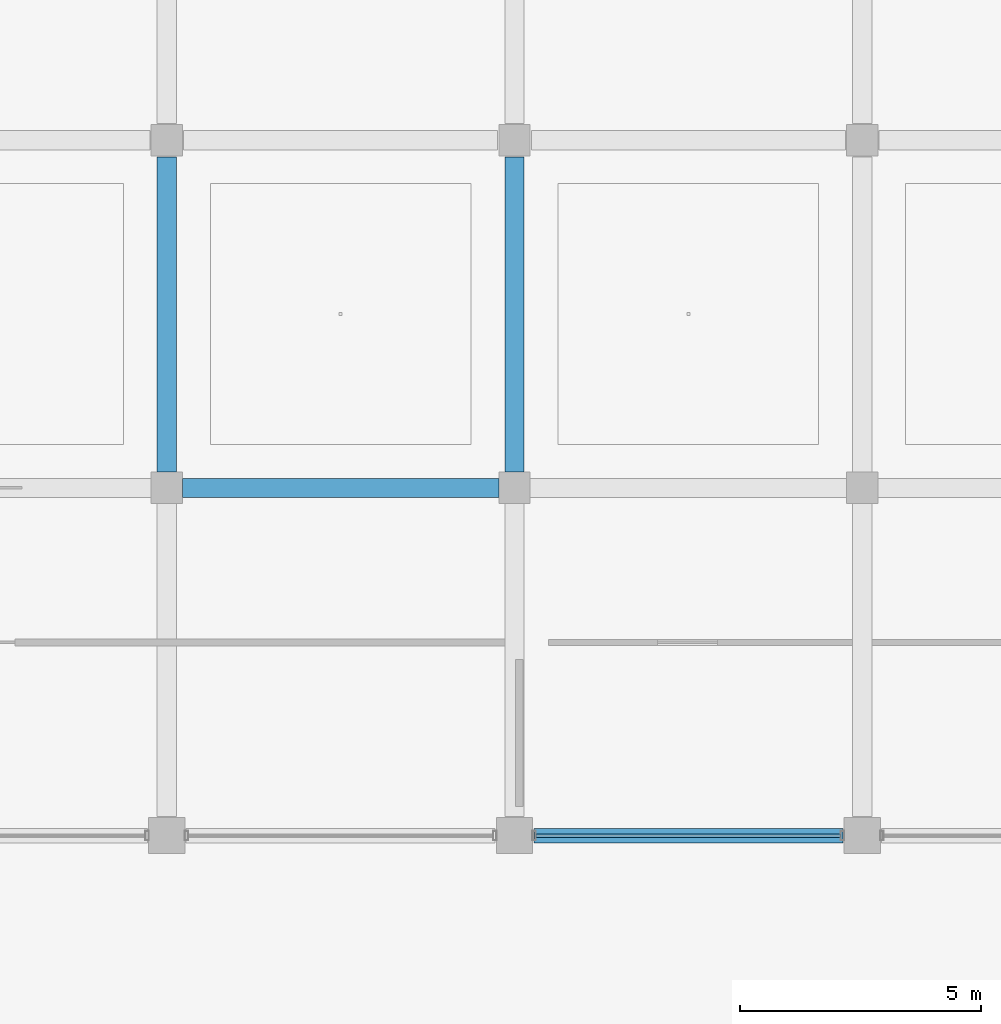
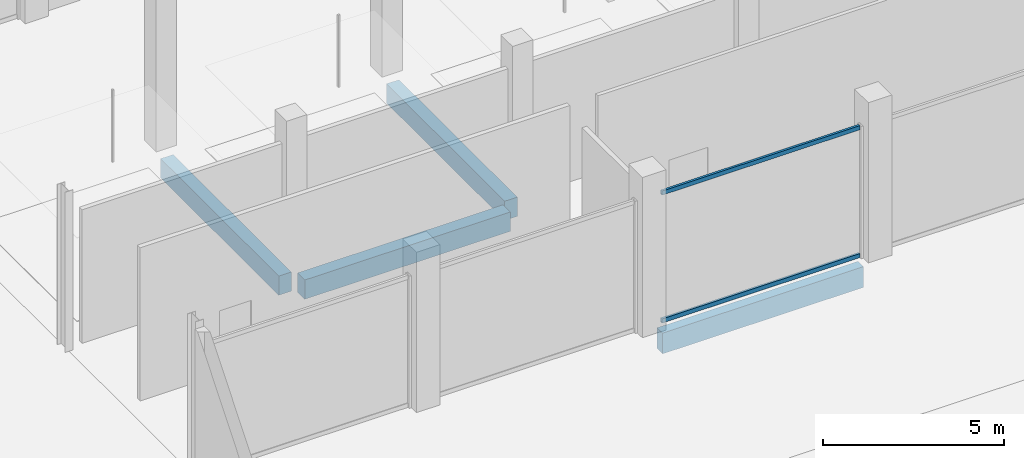
# One storey, part 31 of 90: 4 beams, 2 members, 1 element without a shape of its own.
"""IFC4 building model written with IfcOpenShell, lengths in metres."""

from ifc_helpers import new_model, si_unit, direction, frame, origin, origin_2d, place, context, subcontext, project, spatial, rectangle, hollow_rectangle, extrude, material, layer, layer_set, material_profile, profile_set, type_object, element, aggregate, save


model = new_model("IFC4")

# Units and contexts
model_context = context("Model", 3, precision=1e-05, world=origin(), true_north=direction((0.0, 1.0)))
body_context = subcontext(model_context, "Body", "Model", "MODEL_VIEW")
ifc_project = project(units=[si_unit("LENGTHUNIT", "METRE"), si_unit("AREAUNIT", "SQUARE_METRE"), si_unit("VOLUMEUNIT", "CUBIC_METRE"), si_unit("PLANEANGLEUNIT", "RADIAN"), si_unit("MASSUNIT", "GRAM", prefix="KILO")], contexts=[model_context])

# Site, building, storey
site_placement = place(None, origin())
site = spatial("IfcSite", under=ifc_project, at=site_placement, CompositionType="ELEMENT")
building_placement = place(site_placement, origin())
building = spatial("IfcBuilding", under=site, at=building_placement, Name="Kangsadwip Square Police Headquarters", CompositionType="ELEMENT")
storey_placement = place(building_placement, origin())
storey = spatial("IfcBuildingStorey", under=building, at=storey_placement, Name="L00", CompositionType="ELEMENT", Elevation=0.0)

# Curtain wall, members
ifc_material_1 = material(Name="Thermally broken anodised aluminium AW-6063-T6", Category="aluminium")
ifc_layer = layer(ifc_material_1, 0.159912109375)
ifc_layer_set = layer_set([ifc_layer], Name="Thermally broken anodised aluminium AW-6063-T6")
curtain_wall_type = type_object("IfcCurtainWallType", Name="CourtScreen6460x4450", PredefinedType="USERDEFINED", material=ifc_layer_set)
curtain_wall_placement = place(storey_placement, origin())
curtain_wall = element("IfcCurtainWall", 1, at=curtain_wall_placement, inside=storey, type_object=curtain_wall_type, Name="Curtain Wall CW-L00-1084-0936", ObjectType="GLAZED_SCREEN", PredefinedType="USERDEFINED")
ifc_material_2 = material(Name="Thermally broken anodised aluminium AW-6063-T6", Category="aluminium")
ifc_material_profile_1 = material_profile(ifc_material_2, hollow_rectangle(XDim=0.074951171875, YDim=0.139892578125, WallThickness=0.0048828125, at=origin_2d()), Name="CWT 140X75X5")
ifc_profile_set_1 = profile_set([ifc_material_profile_1], Name="Thermally broken anodised aluminium AW-6063-T6")
member_type = type_object("IfcMemberType", Name="CwTransom160x65", PredefinedType="USERDEFINED", material=ifc_profile_set_1)
member_1_placement = place(storey_placement, frame((108.445068359375, 93.60009765625, 0.070068359375), z_axis=(1.0, 0.0, 0.0), x_axis=(0.0, 1.0, 0.0)))
member_1 = element("IfcMember", 2, at=member_1_placement, type_object=member_type, Name="CW-04 transom 1.1", ObjectType="TRANSOM", PredefinedType="USERDEFINED", context=body_context, shape_type="SweptSolid", body=[
    extrude(hollow_rectangle(XDim=0.074951171875, YDim=0.139892578125, WallThickness=0.0048828125, at=origin_2d()), origin(), (0.0, 0.0, 1.0), 6.309814453125),
])
member_2_placement = place(storey_placement, frame((108.445068359375, 93.60009765625, 4.3798828125), z_axis=(1.0, 0.0, 0.0), x_axis=(0.0, 1.0, 0.0)))
member_2 = element("IfcMember", 3, at=member_2_placement, type_object=member_type, Name="CW-04 transom 1.2", ObjectType="TRANSOM", PredefinedType="USERDEFINED", context=body_context, shape_type="SweptSolid", body=[
    extrude(hollow_rectangle(XDim=0.074951171875, YDim=0.139892578125, WallThickness=0.0048828125, at=origin_2d()), origin(), (0.0, 0.0, 1.0), 6.309814453125),
])
aggregate(curtain_wall, [member_1, member_2])

# Beams
ifc_material_3 = material(Name="Concrete M35 (35 MPa)", Category="concrete")
ifc_material_profile_2 = material_profile(ifc_material_3, rectangle(XDim=0.39990234375, YDim=0.64990234375, at=origin_2d()), Name="RC BM 650X400")
ifc_profile_set_2 = profile_set([ifc_material_profile_2], Name="Concrete M35 (35 MPa)")
beam_type_1 = type_object("IfcBeamType", Name="RcBeam650x400", PredefinedType="BEAM", material=ifc_profile_set_2)
beam_1_placement = place(storey_placement, frame((101.125, 100.800048828125, -0.574951171875), z_axis=(1.0, 0.0, 0.0), x_axis=(0.0, 1.0, 0.0)))
element("IfcBeam", 4, at=beam_1_placement, inside=storey, type_object=beam_type_1, Name="Beam BM-L00-X-14-14", PredefinedType="BEAM", context=body_context, shape_type="SweptSolid", body=[
    extrude(rectangle(XDim=0.39990234375, YDim=0.64990234375, at=origin_2d()), origin(), (0.0, 0.0, 1.0), 6.550048828125),
])
for number, where, z_axis, x_axis, name in (
    (5, (100.800048828125, 101.125, -0.574951171875), (0.0, 1.0, 0.0), (-1.0, 0.0, 0.0), "Beam BM-L00-Y-14-14"),
    (6, (108.0, 101.125, -0.574951171875), (0.0, 1.0, 0.0), (-1.0, 0.0, 0.0), "Beam BM-L00-Y-15-14"),
):
    element("IfcBeam", number, at=place(storey_placement, frame(where, z_axis=z_axis, x_axis=x_axis)), inside=storey, type_object=beam_type_1, Name=name, PredefinedType="BEAM", context=body_context, shape_type="SweptSolid", body=[
        extrude(rectangle(XDim=0.39990234375, YDim=0.64990234375, at=origin_2d()), origin(), (0.0, 0.0, 1.0), 6.52490234375),
    ])
ifc_material_4 = material(Name="Concrete M40 (40 MPa)", Category="concrete")
ifc_material_profile_3 = material_profile(ifc_material_4, rectangle(XDim=0.300048828125, YDim=0.699951171875, at=origin_2d()), Name="RC SPN 700X300")
ifc_profile_set_3 = profile_set([ifc_material_profile_3], Name="Concrete M40 (40 MPa)")
beam_type_2 = type_object("IfcBeamType", Name="RcSpandrel700x300", PredefinedType="SPANDREL", material=ifc_profile_set_3)
beam_2_placement = place(storey_placement, frame((108.39990234375, 93.60009765625, -0.60009765625), z_axis=(1.0, 0.0, 0.0), x_axis=(0.0, 1.0, 0.0)))
element("IfcBeam", 7, at=beam_2_placement, inside=storey, type_object=beam_type_2, Name="Beam BM-L00-X-15-13", PredefinedType="SPANDREL", context=body_context, shape_type="SweptSolid", body=[
    extrude(rectangle(XDim=0.300048828125, YDim=0.699951171875, at=origin_2d()), origin(), (0.0, 0.0, 1.0), 6.400146484375),
])

save(model, "model.ifc")
